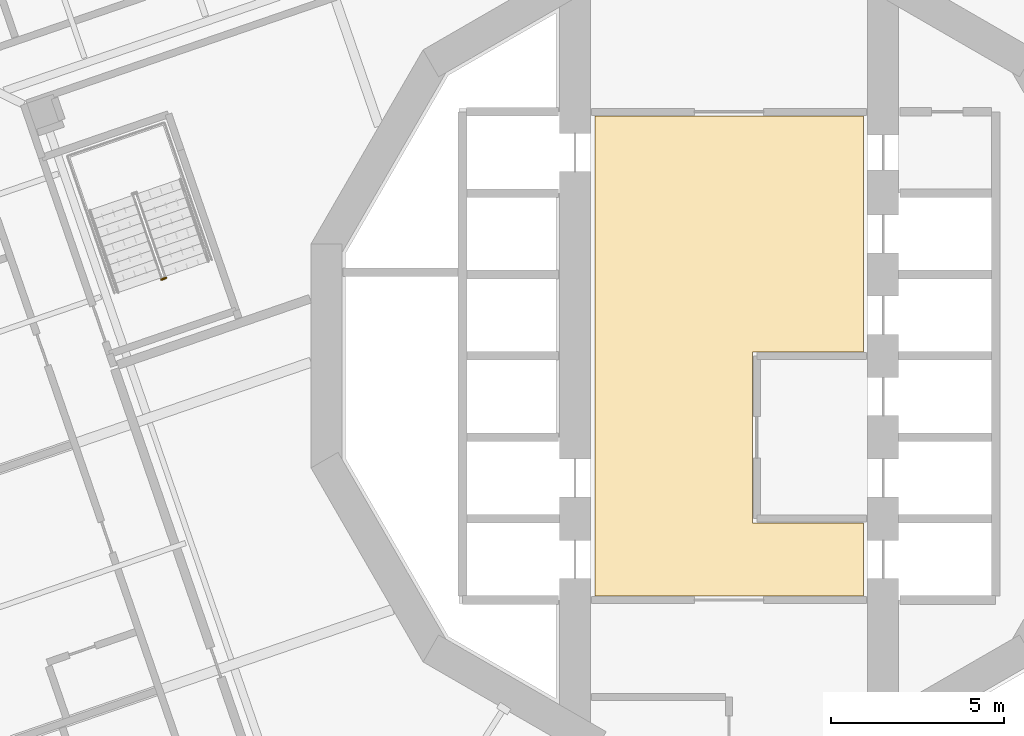
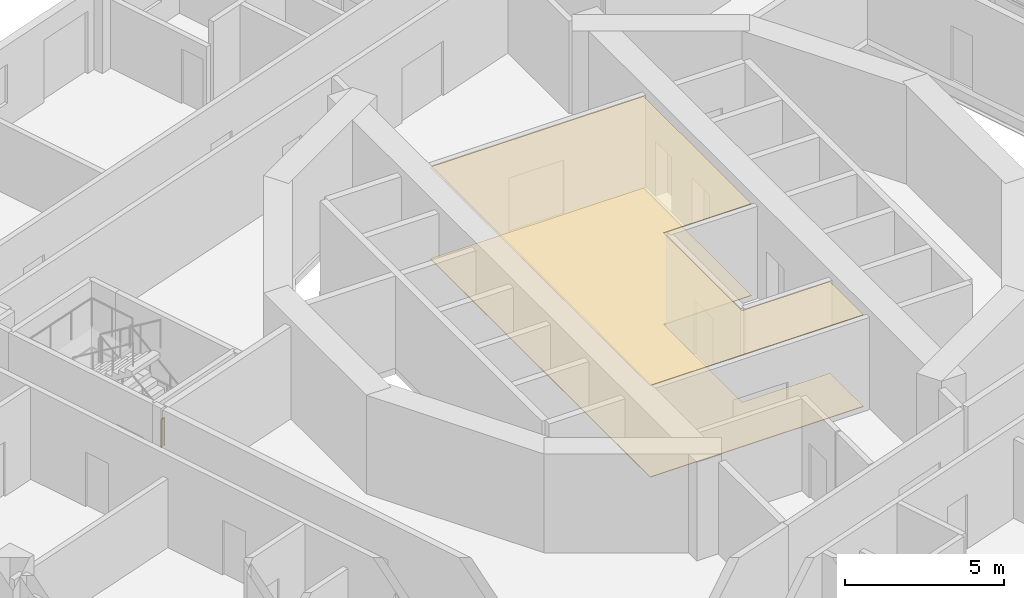
# One storey, part 17 of 22: 2 coverings, 1 railing.
"""IFC4 building model written with IfcOpenShell, lengths in metres."""

from ifc_helpers import new_model, si_unit, direction, frame, origin, origin_2d, place, context, subcontext, project, spatial, polyline, circle, outline, extrude, material, layer, layer_set, type_object, element, save


model = new_model("IFC4")

# Units and contexts
model_context = context("Model", 3, precision=1e-05, world=origin(), true_north=direction((0.0, 1.0)))
body_context = subcontext(model_context, "Body", "Model", "MODEL_VIEW")
ifc_project = project(units=[si_unit("LENGTHUNIT", "METRE"), si_unit("AREAUNIT", "SQUARE_METRE"), si_unit("VOLUMEUNIT", "CUBIC_METRE"), si_unit("PLANEANGLEUNIT", "RADIAN"), si_unit("MASSUNIT", "GRAM", prefix="KILO")], contexts=[model_context])

# Site, building, storey
site_placement = place(None, origin())
site = spatial("IfcSite", under=ifc_project, at=site_placement, CompositionType="ELEMENT")
building_placement = place(site_placement, origin())
building = spatial("IfcBuilding", under=site, at=building_placement, Name="Cantera Rosa Tower", CompositionType="ELEMENT")
storey_placement = place(building_placement, frame((0.0, 0.0, 115.5)))
storey = spatial("IfcBuildingStorey", under=building, at=storey_placement, Name="L23", CompositionType="ELEMENT", Elevation=115.5)

# Railing
ifc_material_1 = material(Name="Steel S355J2 (EN 10025-2)", Category="steel")
railing_type = type_object("IfcRailingType", Name="STAIR GUARD 1100", PredefinedType="GUARDRAIL", material=ifc_material_1)
railing_placement = place(storey_placement, frame((-16.257080078125, 2.25341796875, 0.0)))
element("IfcRailing", 1, at=railing_placement, inside=storey, type_object=railing_type, Name="L23 ST-22 stair guard 3", PredefinedType="GUARDRAIL", context=body_context, shape_type="SweptSolid", body=[
    extrude(circle(Radius=0.02392578125, at=origin_2d()), frame((0.0, 0.0, 1.076171875), z_axis=(-0.945545797087, -0.325489086777, 0.0), x_axis=(0.325489086777, -0.945545797087, 0.0)), (0.0, 0.0, 1.0), 0.14990234375),
    extrude(circle(Radius=0.02099609375, at=origin_2d()), origin(), (0.0, 0.0, 1.0), 1.052001953125),
    extrude(circle(Radius=0.02099609375, at=origin_2d()), frame((-0.141845703125, -0.048828125, 0.0)), (0.0, 0.0, 1.0), 1.052001953125),
])

# Coverings
ifc_material_2 = material(Name="Limestone paving", Category="masonry")
ifc_layer_1 = layer(ifc_material_2, 0.02490234375)
ifc_layer_set_1 = layer_set([ifc_layer_1], Name="STONE FLOOR FINISH 25")
covering_type_1 = type_object("IfcCoveringType", Name="STONE FLOOR FINISH 25", PredefinedType="FLOORING", material=ifc_layer_set_1)
covering_1_placement = place(storey_placement, origin())
element("IfcCovering", 2, at=covering_1_placement, inside=storey, type_object=covering_type_1, Name="STONE FLOOR FINISH L23", PredefinedType="FLOORING", context=body_context, shape_type="SweptSolid", body=[
    extrude(outline(polyline([(3.8798828125, 6.929931640625), (3.8798828125, 0.1201171875), (0.679931640625, 0.1201171875), (0.679931640625, -4.820068359375), (3.8798828125, -4.820068359375), (3.8798828125, -6.929931640625), (-3.8798828125, -6.929931640625), (-3.8798828125, 6.929931640625), (3.8798828125, 6.929931640625)])), origin(), (0.0, 0.0, 1.0), 0.02490234375),
])
ifc_material_3 = material(Name="Gypsum ceiling tile")
ifc_layer_2 = layer(ifc_material_3, 0.030029296875)
ifc_layer_set_2 = layer_set([ifc_layer_2], Name="SUSPENDED CEILING 30")
covering_type_2 = type_object("IfcCoveringType", Name="SUSPENDED CEILING 30", PredefinedType="CEILING", material=ifc_layer_set_2)
covering_2_placement = place(storey_placement, frame((0.0, 0.0, 3.52001953125)))
element("IfcCovering", 3, at=covering_2_placement, inside=storey, type_object=covering_type_2, Name="SUSPENDED CEILING L23", PredefinedType="CEILING", context=body_context, shape_type="SweptSolid", body=[
    extrude(outline(polyline([(3.8798828125, 6.929931640625), (3.8798828125, 0.1201171875), (0.679931640625, 0.1201171875), (0.679931640625, -4.820068359375), (3.8798828125, -4.820068359375), (3.8798828125, -6.929931640625), (-3.8798828125, -6.929931640625), (-3.8798828125, 6.929931640625), (3.8798828125, 6.929931640625)])), origin(), (0.0, 0.0, 1.0), 0.030029296875),
])

save(model, "model.ifc")
